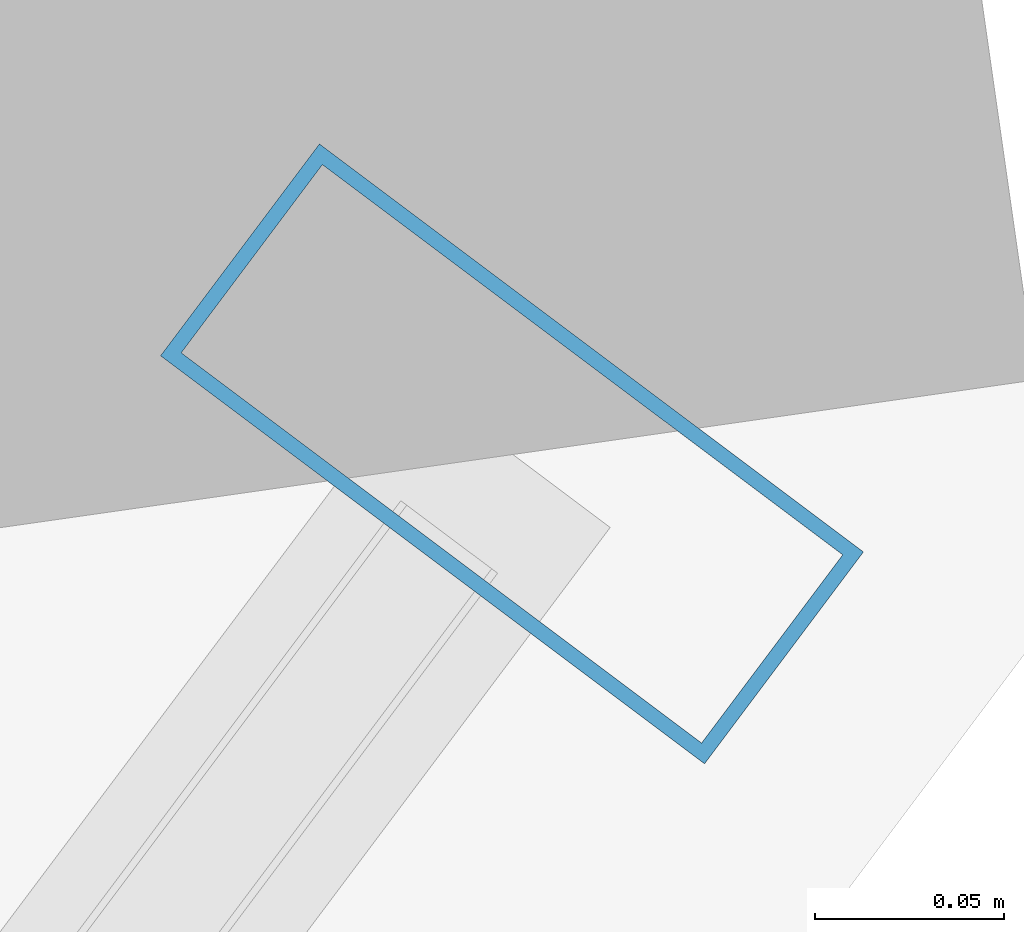
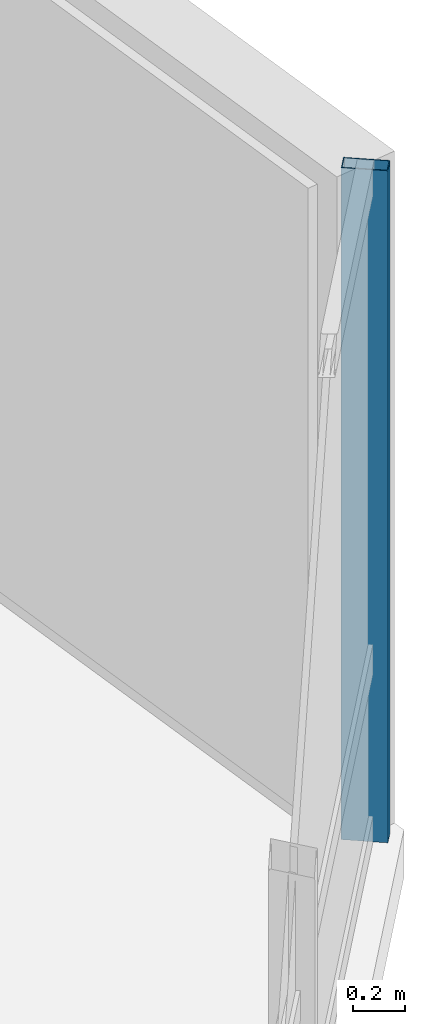
# One storey, part 12 of 31: 1 member, 1 element without a shape of its own.
"""IFC4 building model written with IfcOpenShell, lengths in metres."""

from ifc_helpers import new_model, si_unit, direction, frame, origin, origin_2d, place, context, subcontext, project, spatial, hollow_rectangle, extrude, material, layer, layer_set, material_profile, profile_set, type_object, element, aggregate, save


model = new_model("IFC4")

# Units and contexts
model_context = context("Model", 3, precision=1e-05, world=origin(), true_north=direction((0.0, 1.0)))
body_context = subcontext(model_context, "Body", "Model", "MODEL_VIEW")
ifc_project = project(units=[si_unit("LENGTHUNIT", "METRE"), si_unit("AREAUNIT", "SQUARE_METRE"), si_unit("VOLUMEUNIT", "CUBIC_METRE"), si_unit("PLANEANGLEUNIT", "RADIAN"), si_unit("MASSUNIT", "GRAM", prefix="KILO")], contexts=[model_context])

# Site, building, storey
site_placement = place(None, origin())
site = spatial("IfcSite", under=ifc_project, at=site_placement, CompositionType="ELEMENT")
building_placement = place(site_placement, origin())
building = spatial("IfcBuilding", under=site, at=building_placement, Name="Hatsunagi Terrace Concourse", CompositionType="ELEMENT")
storey_placement = place(building_placement, frame((0.0, 0.0, 81.300048828125)))
storey = spatial("IfcBuildingStorey", under=building, at=storey_placement, Name="L21", CompositionType="ELEMENT", Elevation=81.300048828125)

# Curtain wall, member
ifc_material_1 = material(Name="Anodised Aluminium Alloy 6063-T5", Category="aluminium")
ifc_layer = layer(ifc_material_1, 0.199951171875)
ifc_layer_set = layer_set([ifc_layer], Name="HotelFacade_CW02")
curtain_wall_type = type_object("IfcCurtainWallType", Name="HotelFacade_CW02", PredefinedType="NOTDEFINED", material=ifc_layer_set)
curtain_wall_placement = place(storey_placement, origin())
curtain_wall = element("IfcCurtainWall", 1, at=curtain_wall_placement, inside=storey, type_object=curtain_wall_type, Name="Unitised Curtain Wall CW-02 CW-L21-03", PredefinedType="NOTDEFINED")
ifc_material_2 = material(Name="Anodised Aluminium Alloy 6063-T5", Category="aluminium")
ifc_material_profile = material_profile(ifc_material_2, hollow_rectangle(XDim=0.070068359375, YDim=0.179931640625, WallThickness=0.00390625, at=origin_2d()), Name="ALU-MUL-180x70x4")
ifc_profile_set = profile_set([ifc_material_profile], Name="Anodised Aluminium Alloy 6063-T5")
member_type = type_object("IfcMemberType", Name="CurtainWallMullion_180x70", PredefinedType="MULLION", material=ifc_profile_set)
member_placement = place(storey_placement, frame((69.093017578125, 19.657958984375, 0.0), z_axis=(0.0, 0.0, 1.0), x_axis=(-0.599969314634, -0.800023013105, 0.0)))
member = element("IfcMember", 2, at=member_placement, type_object=member_type, Name="Curtain Wall Mullion MUL-02", PredefinedType="MULLION", context=body_context, shape_type="SweptSolid", body=[
    extrude(hollow_rectangle(XDim=0.070068359375, YDim=0.179931640625, WallThickness=0.00390625, at=origin_2d()), origin(), (0.0, 0.0, 1.0), 3.1298828125),
])
aggregate(curtain_wall, [member])

save(model, "model.ifc")
